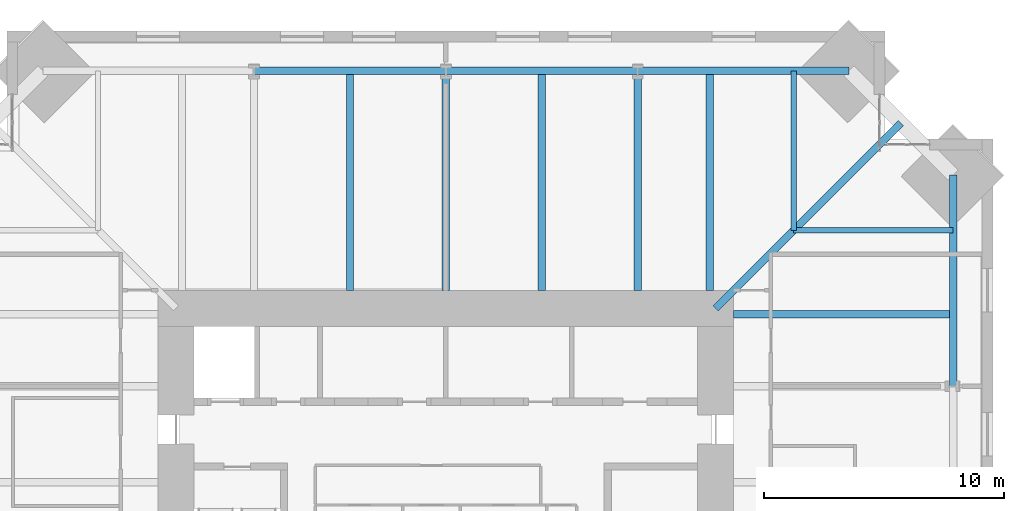
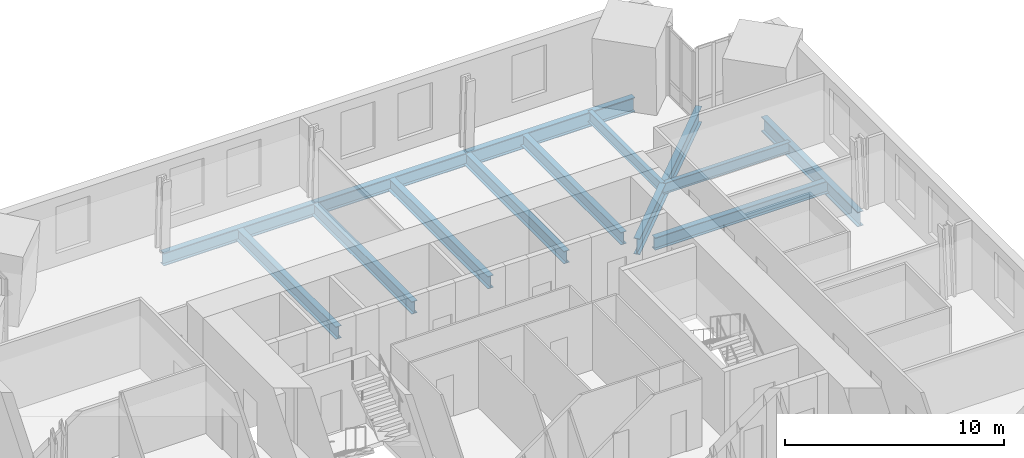
# One storey, part 7 of 15: 13 beams.
"""IFC4 building model written with IfcOpenShell, lengths in metres."""

from ifc_helpers import new_model, si_unit, direction, frame, origin, origin_2d, place, context, subcontext, project, spatial, i_section, extrude, material, material_profile, profile_set, type_object, element, save


model = new_model("IFC4")

# Units and contexts
model_context = context("Model", 3, precision=1e-05, world=origin(), true_north=direction((0.0, 1.0)))
body_context = subcontext(model_context, "Body", "Model", "MODEL_VIEW")
ifc_project = project(units=[si_unit("LENGTHUNIT", "METRE"), si_unit("AREAUNIT", "SQUARE_METRE"), si_unit("VOLUMEUNIT", "CUBIC_METRE"), si_unit("PLANEANGLEUNIT", "RADIAN"), si_unit("MASSUNIT", "GRAM", prefix="KILO")], contexts=[model_context])

# Site, building, storey
site_placement = place(None, origin())
site = spatial("IfcSite", under=ifc_project, at=site_placement, CompositionType="ELEMENT")
building_placement = place(site_placement, origin())
building = spatial("IfcBuilding", under=site, at=building_placement, Name="Peilmerk Tower", CompositionType="ELEMENT")
storey_placement = place(building_placement, frame((0.0, 0.0, 241.800048828125)))
storey = spatial("IfcBuildingStorey", under=building, at=storey_placement, Name="L53", CompositionType="ELEMENT", Elevation=241.800048828125)

# Beams
ifc_material = material(Name="Steel S355", Category="steel")
ifc_material_profile_1 = material_profile(ifc_material, i_section(OverallWidth=0.219970703125, OverallDepth=0.60009765625, WebThickness=0.011962890625, FlangeThickness=0.01904296875, at=origin_2d()), Name="IPE 600")
ifc_profile_set_1 = profile_set([ifc_material_profile_1], Name="Steel S355")
beam_type_1 = type_object("IfcBeamType", Name="B10 IPE 600 floor beam", PredefinedType="BEAM", material=ifc_profile_set_1)
for number, where, z_axis, x_axis, name in (
    (1, (14.5, 14.5, -0.469970703125), (0.0, 1.0, 0.0), (-1.0, 0.0, 0.0), "Floor beam L53"),
    (2, (14.5, 14.5, -0.469970703125), (1.0, 0.0, 0.0), (0.0, 1.0, 0.0), "Floor beam L53"),
):
    element("IfcBeam", number, at=place(storey_placement, frame(where, z_axis=z_axis, x_axis=x_axis)), inside=storey, type_object=beam_type_1, Name=name, PredefinedType="BEAM", context=body_context, shape_type="SweptSolid", body=[
        extrude(i_section(OverallWidth=0.219970703125, OverallDepth=0.60009765625, WebThickness=0.011962890625, FlangeThickness=0.01904296875, at=origin_2d()), origin(), (0.0, 0.0, 1.0), 6.646728515625),
    ])
ifc_material_profile_2 = material_profile(ifc_material, i_section(OverallWidth=0.302978515625, OverallDepth=0.81396484375, WebThickness=0.02099609375, FlangeThickness=0.0400390625, at=origin_2d()), Name="HEM 800")
ifc_profile_set_2 = profile_set([ifc_material_profile_2], Name="Steel S355")
beam_type_2 = type_object("IfcBeamType", Name="B15 HEM 800 edge beam", PredefinedType="SPANDREL", material=ifc_profile_set_2)
for number, where, z_axis, x_axis, name in (
    (3, (16.796875, 21.146728515625, -0.5771484375), (-1.0, 0.0, 0.0), (0.0, -1.0, 0.0), "Edge beam L53"),
    (4, (21.146728515625, 8.0, -0.5771484375), (0.0, 1.0, 0.0), (-1.0, 0.0, 0.0), "Edge beam L53"),
):
    element("IfcBeam", number, at=place(storey_placement, frame(where, z_axis=z_axis, x_axis=x_axis)), inside=storey, type_object=beam_type_2, Name=name, PredefinedType="SPANDREL", context=body_context, shape_type="SweptSolid", body=[
        extrude(i_section(OverallWidth=0.302978515625, OverallDepth=0.81396484375, WebThickness=0.02099609375, FlangeThickness=0.0400390625, at=origin_2d()), origin(), (0.0, 0.0, 1.0), 8.796875),
    ])
ifc_material_profile_3 = material_profile(ifc_material, i_section(OverallWidth=0.300048828125, OverallDepth=0.68994140625, WebThickness=0.014404296875, FlangeThickness=0.027099609375, at=origin_2d()), Name="HEA 700")
ifc_profile_set_3 = profile_set([ifc_material_profile_3], Name="Steel S355")
beam_type_3 = type_object("IfcBeamType", Name="B16 HEA 700 floor beam", PredefinedType="BEAM", material=ifc_profile_set_3)
for number, where, z_axis, x_axis, name in (
    (5, (11.0, 12.0, -0.51513671875), (0.0, 1.0, 0.0), (-1.0, 0.0, 0.0), "Floor beam L53"),
    (6, (8.0, 12.0, -0.51513671875), (0.0, 1.0, 0.0), (-1.0, 0.0, 0.0), "Floor beam L53"),
    (7, (4.0, 12.0, -0.51513671875), (0.0, 1.0, 0.0), (-1.0, 0.0, 0.0), "Floor beam L53"),
    (8, (0.0, 12.0, -0.51513671875), (0.0, 1.0, 0.0), (-1.0, 0.0, 0.0), "Floor beam L53"),
    (9, (-4.0, 12.0, -0.51513671875), (0.0, 1.0, 0.0), (-1.0, 0.0, 0.0), "Floor beam L53"),
    (10, (12.0, 11.0, -0.51513671875), (1.0, 0.0, 0.0), (0.0, 1.0, 0.0), "Floor beam L53"),
):
    element("IfcBeam", number, at=place(storey_placement, frame(where, z_axis=z_axis, x_axis=x_axis)), inside=storey, type_object=beam_type_3, Name=name, PredefinedType="BEAM", context=body_context, shape_type="SweptSolid", body=[
        extrude(i_section(OverallWidth=0.300048828125, OverallDepth=0.68994140625, WebThickness=0.014404296875, FlangeThickness=0.027099609375, at=origin_2d()), origin(), (0.0, 0.0, 1.0), 9.146728515625),
    ])
ifc_material_profile_4 = material_profile(ifc_material, i_section(OverallWidth=0.303955078125, OverallDepth=0.716064453125, WebThickness=0.02099609375, FlangeThickness=0.0400390625, at=origin_2d()), Name="HEM 700")
ifc_profile_set_4 = profile_set([ifc_material_profile_4], Name="Steel S355")
beam_type_4 = type_object("IfcBeamType", Name="B30 HEM 700 edge beam", PredefinedType="SPANDREL", material=ifc_profile_set_4)
for number, where, z_axis, x_axis, name in (
    (11, (8.0, 21.146728515625, -0.528076171875), (-1.0, 0.0, 0.0), (0.0, -1.0, 0.0), "Edge beam L53"),
    (12, (0.0, 21.146728515625, -0.528076171875), (-1.0, 0.0, 0.0), (0.0, -1.0, 0.0), "Edge beam L53"),
):
    element("IfcBeam", number, at=place(storey_placement, frame(where, z_axis=z_axis, x_axis=x_axis)), inside=storey, type_object=beam_type_4, Name=name, PredefinedType="SPANDREL", context=body_context, shape_type="SweptSolid", body=[
        extrude(i_section(OverallWidth=0.303955078125, OverallDepth=0.716064453125, WebThickness=0.02099609375, FlangeThickness=0.0400390625, at=origin_2d()), origin(), (0.0, 0.0, 1.0), 8.0),
    ])
ifc_material_profile_5 = material_profile(ifc_material, i_section(OverallWidth=0.300048828125, OverallDepth=0.889892578125, WebThickness=0.01611328125, FlangeThickness=0.030029296875, at=origin_2d()), Name="HEA 900")
ifc_profile_set_5 = profile_set([ifc_material_profile_5], Name="Steel S355")
beam_type_5 = type_object("IfcBeamType", Name="B4 HEA 900 floor beam", PredefinedType="BEAM", material=ifc_profile_set_5)
beam_placement = place(storey_placement, frame((11.25, 11.25, -0.614990234375), z_axis=(0.707106781187, 0.707106781187, 0.0), x_axis=(-0.707106781187, 0.707106781187, 0.0)))
element("IfcBeam", 13, at=beam_placement, inside=storey, type_object=beam_type_5, Name="Corner girder L53", PredefinedType="BEAM", context=body_context, shape_type="SweptSolid", body=[
    extrude(i_section(OverallWidth=0.300048828125, OverallDepth=0.889892578125, WebThickness=0.01611328125, FlangeThickness=0.030029296875, at=origin_2d()), origin(), (0.0, 0.0, 1.0), 10.920166015625),
])

save(model, "model.ifc")
